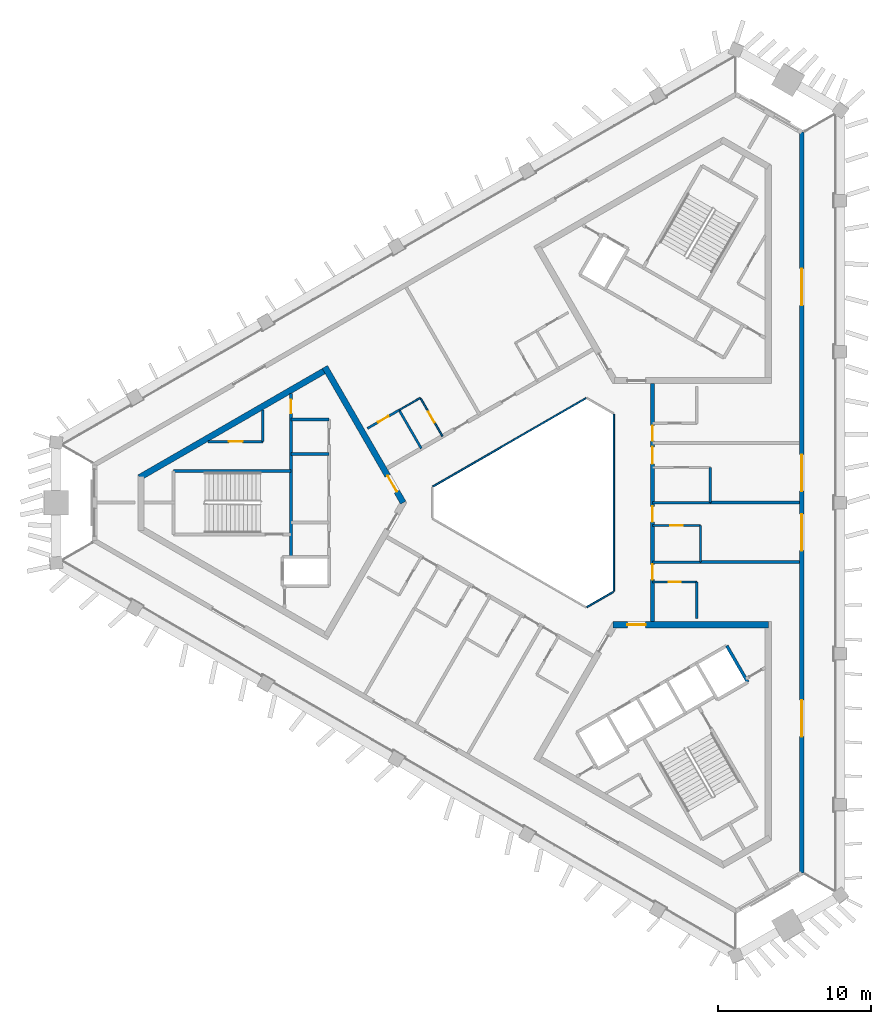
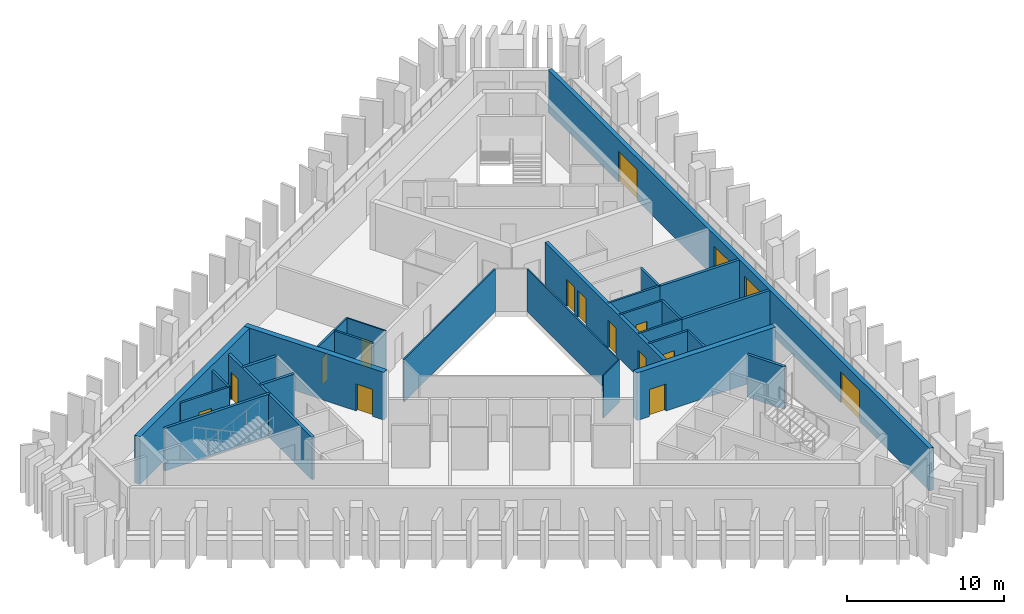
# One storey, part 4 of 9: 28 walls, 16 doors, 16 openings.
"""IFC4 building model written with IfcOpenShell, lengths in metres."""

from ifc_helpers import new_model, si_unit, direction, frame, frame_2d, origin, place, context, subcontext, project, spatial, rectangle, extrude, material, layer, layer_set, type_object, element, fill, save


model = new_model("IFC4")

# Units and contexts
model_context = context("Model", 3, precision=1e-05, world=origin(), true_north=direction((0.0, 1.0)))
body_context = subcontext(model_context, "Body", "Model", "MODEL_VIEW")
ifc_project = project(units=[si_unit("LENGTHUNIT", "METRE"), si_unit("AREAUNIT", "SQUARE_METRE"), si_unit("VOLUMEUNIT", "CUBIC_METRE"), si_unit("PLANEANGLEUNIT", "RADIAN"), si_unit("MASSUNIT", "GRAM", prefix="KILO")], contexts=[model_context])

# Site, building, storey
site_placement = place(None, origin())
site = spatial("IfcSite", under=ifc_project, at=site_placement, CompositionType="ELEMENT")
building_placement = place(site_placement, origin())
building = spatial("IfcBuilding", under=site, at=building_placement, Name="Jabali Bay Hotel Tower and Convention Centre", CompositionType="ELEMENT")
storey_placement = place(building_placement, frame((0.0, 0.0, 259.0)))
storey = spatial("IfcBuildingStorey", under=building, at=storey_placement, Name="L63", CompositionType="ELEMENT", Elevation=259.0)

# Walls
ifc_material_1 = material(Name="Fire-resistant glazing", Category="glass")
ifc_layer_1 = layer(ifc_material_1, 0.10009765625)
ifc_layer_set_1 = layer_set([ifc_layer_1], Name="Fire-resistant glazing")
wall_type_1 = type_object("IfcWallType", Name="Atrium glazed screen 100", PredefinedType="PARTITIONING", material=ifc_layer_set_1)
for number, where, z_axis, x_axis, name in (
    (1, (79.56005859375, 74.205810546875, 0.0), (0.0, 0.0, 1.0), (0.0, 1.0, 0.0), "Atrium screen 1 L63"),
    (2, (77.738037109375, 86.84619140625, 0.0), (0.0, 0.0, 1.0), (-0.866026658274, -0.499997827154, 0.0), "Atrium screen 3 L63"),
):
    element("IfcWall", number, at=place(storey_placement, frame(where, z_axis=z_axis, x_axis=x_axis)), inside=storey, type_object=wall_type_1, Name=name, PredefinedType="PARTITIONING", context=body_context, shape_type="SweptSolid", body=[
        extrude(rectangle(XDim=11.58837890625, YDim=0.10009765625, at=frame_2d((5.794189453125, 0.0))), origin(), (0.0, 0.0, 1.0), 3.300048828125),
    ])
wall_1_placement = place(storey_placement, frame((77.7978515625, 73.15380859375, 0.0), z_axis=(0.0, 0.0, 1.0), x_axis=(0.866041268327, 0.499972520799, 0.0)))
element("IfcWall", 3, at=wall_1_placement, inside=storey, type_object=wall_type_1, Name="Atrium screen 6 L63", PredefinedType="PARTITIONING", context=body_context, shape_type="SweptSolid", body=[
    extrude(rectangle(XDim=2.0, YDim=0.10009765625, at=frame_2d((1.0, 0.0))), origin(), (0.0, 0.0, 1.0), 3.300048828125),
])

# Wall, opening, door
ifc_material_2 = material(Name="Fire-rated board partition")
ifc_layer_2 = layer(ifc_material_2, 0.14990234375)
ifc_layer_set_2 = layer_set([ifc_layer_2], Name="Fire-rated board partition")
wall_type_2 = type_object("IfcWallType", Name="Core room partition 150", PredefinedType="PARTITIONING", material=ifc_layer_set_2)
wall_2_placement = place(storey_placement, frame((56.570068359375, 84.0, 0.0), z_axis=(0.0, 0.0, 1.0), x_axis=(-1.0, 0.0, 0.0)))
wall_2 = element("IfcWall", 4, at=wall_2_placement, inside=storey, type_object=wall_type_2, Name="Core wall 0.1 L63", PredefinedType="PARTITIONING", context=body_context, shape_type="SweptSolid", body=[
    extrude(rectangle(XDim=3.601806640625, YDim=0.14990234375, at=frame_2d((1.80078125, 0.0))), origin(), (0.0, 0.0, 1.0), 3.300048828125),
])
opening_1_placement = place(wall_2_placement, frame((1.323486328125, 0.0, 0.0)))
opening_1 = element("IfcOpeningElement", 5, at=opening_1_placement, cuts=wall_2, Name="Opening D1384", PredefinedType="OPENING", context=body_context, shape_type="SweptSolid", body=[
    extrude(rectangle(XDim=0.89990234375, YDim=2.10009765625, at=frame_2d((0.449951171875, 1.050048828125))), frame((0.0, 0.08544921875, 0.0), z_axis=(0.0, -1.0, 0.0), x_axis=(1.0, 0.0, 0.0)), (0.0, 0.0, 1.0), 0.1708984375),
])
ifc_material_3 = material(Name="Fire-rated steel door", Category="steel")
door_type_1 = type_object("IfcDoorType", Name="Core room door 900 x 2100", OperationType="NOTDEFINED", PredefinedType="NOTDEFINED", material=ifc_material_3)
door_1_placement = place(opening_1_placement, origin())
door_1 = element("IfcDoor", 6, at=door_1_placement, inside=storey, type_object=door_type_1, Name="Core room door D1384", OperationType="SINGLE_SWING_LEFT", OverallHeight=2.10009765625, OverallWidth=0.89990234375, PredefinedType="NOTDEFINED", context=body_context, shape_type="SweptSolid", body=[
    extrude(rectangle(XDim=0.89990234375, YDim=2.10009765625, at=frame_2d((0.449951171875, 1.050048828125))), frame((0.0, 0.02490234375, 0.0), z_axis=(0.0, -1.0, 0.0), x_axis=(1.0, 0.0, 0.0)), (0.0, 0.0, 1.0), 0.050048828125),
])
fill(opening_1, door_1)

# Walls
wall_3_placement = place(storey_placement, frame((56.570068359375, 86.07958984375, 0.0), z_axis=(0.0, 0.0, 1.0), x_axis=(0.0, -1.0, 0.0)))
element("IfcWall", 7, at=wall_3_placement, inside=storey, type_object=wall_type_2, Name="Core wall 0.13 L63", PredefinedType="PARTITIONING", context=body_context, shape_type="SweptSolid", body=[
    extrude(rectangle(XDim=2.07958984375, YDim=0.14990234375, at=frame_2d((1.039794921875, 0.0))), origin(), (0.0, 0.0, 1.0), 3.300048828125),
])
ifc_material_4 = material(Name="Concrete C40", Category="concrete")
ifc_layer_3 = layer(ifc_material_4, 0.199951171875)
ifc_layer_set_3 = layer_set([ifc_layer_3], Name="Concrete C40")
wall_type_3 = type_object("IfcWallType", Name="Core stair wall 200", PredefinedType="SOLIDWALL", material=ifc_layer_set_3)
for number, where, z_axis, x_axis, name in (
    (8, (60.89990234375, 85.449951171875, 0.0), (0.0, 0.0, 1.0), (-1.0, 0.0, 0.0), "Core wall 0.0 L63"),
    (9, (60.89990234375, 83.199951171875, 0.0), (0.0, 0.0, 1.0), (-1.0, 0.0, 0.0), "Core wall 0.2 L63"),
):
    element("IfcWall", number, at=place(storey_placement, frame(where, z_axis=z_axis, x_axis=x_axis)), inside=storey, type_object=wall_type_3, Name=name, PredefinedType="SOLIDWALL", context=body_context, shape_type="SweptSolid", body=[
        extrude(rectangle(XDim=2.47998046875, YDim=0.199951171875, at=frame_2d((1.239990234375, 0.0))), origin(), (0.0, 0.0, 1.0), 3.300048828125),
    ])
wall_4_placement = place(storey_placement, frame((58.419921875, 82.074951171875, 0.0), z_axis=(0.0, 0.0, 1.0), x_axis=(-1.0, 0.0, 0.0)))
element("IfcWall", 10, at=wall_4_placement, inside=storey, type_object=wall_type_3, Name="Core wall 0.3 L63", PredefinedType="SOLIDWALL", context=body_context, shape_type="SweptSolid", body=[
    extrude(rectangle(XDim=7.699951171875, YDim=0.199951171875, at=frame_2d((3.85009765625, 0.0))), origin(), (0.0, 0.0, 1.0), 3.300048828125),
])

# Wall, opening, door
wall_5_placement = place(storey_placement, frame((58.419921875, 87.147705078125, 0.0), z_axis=(0.0, 0.0, 1.0), x_axis=(0.0, -1.0, 0.0)))
wall_5 = element("IfcWall", 11, at=wall_5_placement, inside=storey, type_object=wall_type_3, Name="Core wall 0.10 L63", PredefinedType="SOLIDWALL", context=body_context, shape_type="SweptSolid", body=[
    extrude(rectangle(XDim=10.69775390625, YDim=0.199951171875, at=frame_2d((5.348876953125, 0.0))), origin(), (0.0, 0.0, 1.0), 3.300048828125),
])
opening_2_placement = place(wall_5_placement, frame((0.398681640625, 0.0, 0.0)))
opening_2 = element("IfcOpeningElement", 12, at=opening_2_placement, cuts=wall_5, Name="Opening D1382", PredefinedType="OPENING", context=body_context, shape_type="SweptSolid", body=[
    extrude(rectangle(XDim=0.89990234375, YDim=2.10009765625, at=frame_2d((0.449951171875, 1.050048828125))), frame((0.0, 0.1103515625, 0.0), z_axis=(0.0, -1.0, 0.0), x_axis=(1.0, 0.0, 0.0)), (0.0, 0.0, 1.0), 0.220947265625),
])
door_type_2 = type_object("IfcDoorType", Name="Vestibule fire door 900 x 2100", OperationType="NOTDEFINED", PredefinedType="NOTDEFINED", material=ifc_material_3)
door_2_placement = place(opening_2_placement, origin())
door_2 = element("IfcDoor", 13, at=door_2_placement, inside=storey, type_object=door_type_2, Name="Vestibule fire door D1382", OperationType="SINGLE_SWING_LEFT", OverallHeight=2.10009765625, OverallWidth=0.89990234375, PredefinedType="NOTDEFINED", context=body_context, shape_type="SweptSolid", body=[
    extrude(rectangle(XDim=0.89990234375, YDim=2.10009765625, at=frame_2d((0.449951171875, 1.050048828125))), frame((0.0, 0.02490234375, 0.0), z_axis=(0.0, -1.0, 0.0), x_axis=(1.0, 0.0, 0.0)), (0.0, 0.0, 1.0), 0.050048828125),
])
fill(opening_2, door_2)

# Wall
wall_6_placement = place(storey_placement, frame((86.964599609375, 70.62646484375, 0.0), z_axis=(0.0, 0.0, 1.0), x_axis=(0.499996545922, -0.866027397988, 0.0)))
element("IfcWall", 14, at=wall_6_placement, inside=storey, type_object=wall_type_3, Name="Core wall 2.9 L63", PredefinedType="SOLIDWALL", context=body_context, shape_type="SweptSolid", body=[
    extrude(rectangle(XDim=2.75, YDim=0.199951171875, at=frame_2d((1.375, 0.0))), origin(), (0.0, 0.0, 1.0), 3.300048828125),
])

# Wall, opening, door
ifc_material_5 = material(Name="Concrete C60", Category="concrete")
ifc_layer_4 = layer(ifc_material_5, 0.39990234375)
ifc_layer_set_4 = layer_set([ifc_layer_4], Name="Concrete C60")
wall_type_4 = type_object("IfcWallType", Name="Core wall 400", PredefinedType="SHEAR", material=ifc_layer_set_4)
wall_7_placement = place(storey_placement, frame((65.76904296875, 80.0, 0.0), z_axis=(0.0, 0.0, 1.0), x_axis=(-0.50000177223, 0.866024380585, 0.0)))
wall_7 = element("IfcWall", 15, at=wall_7_placement, inside=storey, type_object=wall_type_4, Name="Core wall 1.1 L63", PredefinedType="SHEAR", context=body_context, shape_type="SweptSolid", body=[
    extrude(rectangle(XDim=10.2646484375, YDim=0.39990234375, at=frame_2d((5.13232421875, 0.0))), origin(), (0.0, 0.0, 1.0), 3.699951171875),
])
opening_3_placement = place(wall_7_placement, frame((0.83447265625, 0.0, 0.0)))
opening_3 = element("IfcOpeningElement", 16, at=opening_3_placement, cuts=wall_7, Name="Opening D1376", PredefinedType="OPENING", context=body_context, shape_type="SweptSolid", body=[
    extrude(rectangle(XDim=1.199951171875, YDim=2.10009765625, at=frame_2d((0.60009765625, 1.050048828125))), frame((0.0, 0.21044921875, 0.0), z_axis=(0.0, -1.0, 0.0), x_axis=(1.0, 0.0, 0.0)), (0.0, 0.0, 1.0), 0.4208984375),
])
door_type_3 = type_object("IfcDoorType", Name="Corridor end fire door 1200 x 2100", OperationType="NOTDEFINED", PredefinedType="NOTDEFINED", material=ifc_material_3)
door_3_placement = place(opening_3_placement, origin())
door_3 = element("IfcDoor", 17, at=door_3_placement, inside=storey, type_object=door_type_3, Name="Corridor end fire door D1376", OperationType="SINGLE_SWING_RIGHT", OverallHeight=2.10009765625, OverallWidth=1.199951171875, PredefinedType="NOTDEFINED", context=body_context, shape_type="SweptSolid", body=[
    extrude(rectangle(XDim=1.199951171875, YDim=2.10009765625, at=frame_2d((0.60009765625, 1.050048828125))), frame((0.0, 0.02490234375, 0.0), z_axis=(0.0, -1.0, 0.0), x_axis=(1.0, 0.0, 0.0)), (0.0, 0.0, 1.0), 0.050048828125),
])
fill(opening_3, door_3)

# Wall
wall_8_placement = place(storey_placement, frame((60.73681640625, 88.716064453125, 0.0), z_axis=(0.0, 0.0, 1.0), x_axis=(-0.866028812667, -0.499994095595, 0.0)))
element("IfcWall", 18, at=wall_8_placement, inside=storey, type_object=wall_type_4, Name="Core wall 1.2 L63", PredefinedType="SHEAR", context=body_context, shape_type="SweptSolid", body=[
    extrude(rectangle(XDim=14.133544921875, YDim=0.39990234375, at=frame_2d((7.06689453125, 0.0))), origin(), (0.0, 0.0, 1.0), 3.699951171875),
])

# Wall, opening, door
wall_9_placement = place(storey_placement, frame((89.679931640625, 72.005859375, 0.0), z_axis=(0.0, 0.0, 1.0), x_axis=(-1.0, 0.0, 0.0)))
wall_9 = element("IfcWall", 19, at=wall_9_placement, inside=storey, type_object=wall_type_4, Name="Core wall 3.5 L63", PredefinedType="SHEAR", context=body_context, shape_type="SweptSolid", body=[
    extrude(rectangle(XDim=10.179931640625, YDim=0.39990234375, at=frame_2d((5.08984375, 0.0))), origin(), (0.0, 0.0, 1.0), 3.699951171875),
])
opening_4_placement = place(wall_9_placement, frame((8.030029296875, 0.0, 0.0)))
opening_4 = element("IfcOpeningElement", 20, at=opening_4_placement, cuts=wall_9, Name="Opening D1394", PredefinedType="OPENING", context=body_context, shape_type="SweptSolid", body=[
    extrude(rectangle(XDim=1.199951171875, YDim=2.10009765625, at=frame_2d((0.60009765625, 1.050048828125))), frame((0.0, 0.21044921875, 0.0), z_axis=(0.0, -1.0, 0.0), x_axis=(1.0, 0.0, 0.0)), (0.0, 0.0, 1.0), 0.4208984375),
])
door_4_placement = place(opening_4_placement, origin())
door_4 = element("IfcDoor", 21, at=door_4_placement, inside=storey, type_object=door_type_3, Name="Corridor end fire door D1394", OperationType="SINGLE_SWING_LEFT", OverallHeight=2.10009765625, OverallWidth=1.199951171875, PredefinedType="NOTDEFINED", context=body_context, shape_type="SweptSolid", body=[
    extrude(rectangle(XDim=1.199951171875, YDim=2.10009765625, at=frame_2d((0.60009765625, 1.050048828125))), frame((0.0, 0.02490234375, 0.0), z_axis=(0.0, -1.0, 0.0), x_axis=(1.0, 0.0, 0.0)), (0.0, 0.0, 1.0), 0.050048828125),
])
fill(opening_4, door_4)

# Wall, openings, doors
ifc_layer_5 = layer(ifc_material_5, 0.25)
ifc_layer_set_5 = layer_set([ifc_layer_5], Name="Concrete C60")
wall_type_5 = type_object("IfcWallType", Name="Corridor wall 250", PredefinedType="SHEAR", material=ifc_layer_set_5)
wall_10_placement = place(storey_placement, frame((82.10009765625, 72.205810546875, 0.0), z_axis=(0.0, 0.0, 1.0), x_axis=(0.0, 1.0, 0.0)))
wall_10 = element("IfcWall", 22, at=wall_10_placement, inside=storey, type_object=wall_type_5, Name="Corridor wall 1 L63", PredefinedType="SHEAR", context=body_context, shape_type="SweptSolid", body=[
    extrude(rectangle(XDim=15.58837890625, YDim=0.25, at=frame_2d((7.794189453125, 0.0))), origin(), (0.0, 0.0, 1.0), 3.300048828125),
])
opening_5_placement = place(wall_10_placement, frame((2.7470703125, 0.0, 0.0)))
opening_5 = element("IfcOpeningElement", 23, at=opening_5_placement, cuts=wall_10, Name="Opening 6302", PredefinedType="OPENING", context=body_context, shape_type="SweptSolid", body=[
    extrude(rectangle(XDim=1.0, YDim=2.10009765625, at=frame_2d((0.5, 1.050048828125))), frame((0.0, 0.135498046875, 0.0), z_axis=(0.0, -1.0, 0.0), x_axis=(1.0, 0.0, 0.0)), (0.0, 0.0, 1.0), 0.27099609375),
])
opening_6_placement = place(wall_10_placement, frame((6.544189453125, 0.0, 0.0)))
opening_6 = element("IfcOpeningElement", 24, at=opening_6_placement, cuts=wall_10, Name="Opening 6304", PredefinedType="OPENING", context=body_context, shape_type="SweptSolid", body=[
    extrude(rectangle(XDim=1.0, YDim=2.10009765625, at=frame_2d((0.5, 1.050048828125))), frame((0.0, 0.135498046875, 0.0), z_axis=(0.0, -1.0, 0.0), x_axis=(1.0, 0.0, 0.0)), (0.0, 0.0, 1.0), 0.27099609375),
])
opening_7_placement = place(wall_10_placement, frame((10.34130859375, 0.0, 0.0)))
opening_7 = element("IfcOpeningElement", 25, at=opening_7_placement, cuts=wall_10, Name="Opening 6306", PredefinedType="OPENING", context=body_context, shape_type="SweptSolid", body=[
    extrude(rectangle(XDim=1.10009765625, YDim=2.10009765625, at=frame_2d((0.550048828125, 1.050048828125))), frame((0.0, 0.135498046875, 0.0), z_axis=(0.0, -1.0, 0.0), x_axis=(1.0, 0.0, 0.0)), (0.0, 0.0, 1.0), 0.27099609375),
])
opening_8_placement = place(wall_10_placement, frame((11.84130859375, 0.0, 0.0)))
opening_8 = element("IfcOpeningElement", 26, at=opening_8_placement, cuts=wall_10, Name="Opening 6308", PredefinedType="OPENING", context=body_context, shape_type="SweptSolid", body=[
    extrude(rectangle(XDim=1.0, YDim=2.10009765625, at=frame_2d((0.5, 1.050048828125))), frame((0.0, 0.135498046875, 0.0), z_axis=(0.0, -1.0, 0.0), x_axis=(1.0, 0.0, 0.0)), (0.0, 0.0, 1.0), 0.27099609375),
])
ifc_material_6 = material(Name="Timber", Category="wood")
door_type_4 = type_object("IfcDoorType", Name="Accessible guest room door 1100 x 2100", OperationType="NOTDEFINED", PredefinedType="NOTDEFINED", material=ifc_material_6)
door_5_placement = place(opening_7_placement, origin())
door_5 = element("IfcDoor", 27, at=door_5_placement, inside=storey, type_object=door_type_4, Name="Door 6306", OperationType="SINGLE_SWING_RIGHT", OverallHeight=2.10009765625, OverallWidth=1.10009765625, PredefinedType="NOTDEFINED", context=body_context, shape_type="SweptSolid", body=[
    extrude(rectangle(XDim=1.10009765625, YDim=2.10009765625, at=frame_2d((0.550048828125, 1.050048828125))), frame((0.0, 0.02490234375, 0.0), z_axis=(0.0, -1.0, 0.0), x_axis=(1.0, 0.0, 0.0)), (0.0, 0.0, 1.0), 0.050048828125),
])
fill(opening_7, door_5)
door_type_5 = type_object("IfcDoorType", Name="Guest room door 1000 x 2100", OperationType="NOTDEFINED", PredefinedType="NOTDEFINED", material=ifc_material_6)
door_6_placement = place(opening_5_placement, origin())
door_6 = element("IfcDoor", 28, at=door_6_placement, inside=storey, type_object=door_type_5, Name="Door 6302", OperationType="SINGLE_SWING_LEFT", OverallHeight=2.10009765625, OverallWidth=1.0, PredefinedType="NOTDEFINED", context=body_context, shape_type="SweptSolid", body=[
    extrude(rectangle(XDim=1.0, YDim=2.10009765625, at=frame_2d((0.5, 1.050048828125))), frame((0.0, 0.02490234375, 0.0), z_axis=(0.0, -1.0, 0.0), x_axis=(1.0, 0.0, 0.0)), (0.0, 0.0, 1.0), 0.050048828125),
])
fill(opening_5, door_6)
door_7_placement = place(opening_6_placement, origin())
door_7 = element("IfcDoor", 29, at=door_7_placement, inside=storey, type_object=door_type_5, Name="Door 6304", OperationType="SINGLE_SWING_LEFT", OverallHeight=2.10009765625, OverallWidth=1.0, PredefinedType="NOTDEFINED", context=body_context, shape_type="SweptSolid", body=[
    extrude(rectangle(XDim=1.0, YDim=2.10009765625, at=frame_2d((0.5, 1.050048828125))), frame((0.0, 0.02490234375, 0.0), z_axis=(0.0, -1.0, 0.0), x_axis=(1.0, 0.0, 0.0)), (0.0, 0.0, 1.0), 0.050048828125),
])
fill(opening_6, door_7)
door_8_placement = place(opening_8_placement, origin())
door_8 = element("IfcDoor", 30, at=door_8_placement, inside=storey, type_object=door_type_5, Name="Door 6308", OperationType="SINGLE_SWING_RIGHT", OverallHeight=2.10009765625, OverallWidth=1.0, PredefinedType="NOTDEFINED", context=body_context, shape_type="SweptSolid", body=[
    extrude(rectangle(XDim=1.0, YDim=2.10009765625, at=frame_2d((0.5, 1.050048828125))), frame((0.0, 0.02490234375, 0.0), z_axis=(0.0, -1.0, 0.0), x_axis=(1.0, 0.0, 0.0)), (0.0, 0.0, 1.0), 0.050048828125),
])
fill(opening_8, door_8)

ifc_layer_6 = layer(ifc_material_4, 0.300048828125)
ifc_layer_set_6 = layer_set([ifc_layer_6], Name="Concrete C40")
wall_type_6 = type_object("IfcWallType", Name="External wall 300", PredefinedType="SOLIDWALL", material=ifc_layer_set_6)
wall_11_placement = place(storey_placement, frame((91.876708984375, 104.2666015625, 0.0), z_axis=(0.0, 0.0, 1.0), x_axis=(0.0, -1.0, 0.0)))
wall_11 = element("IfcWall", 31, at=wall_11_placement, inside=storey, type_object=wall_type_6, Name="External wall east face L63", PredefinedType="SOLIDWALL", context=body_context, shape_type="SweptSolid", body=[
    extrude(rectangle(XDim=48.533203125, YDim=0.300048828125, at=frame_2d((24.2666015625, 0.0))), origin(), (0.0, 0.0, 1.0), 3.300048828125),
])
opening_9_placement = place(wall_11_placement, frame((21.1181640625, 0.0, 0.0)))
opening_9 = element("IfcOpeningElement", 32, at=opening_9_placement, cuts=wall_11, Name="Opening SD1", PredefinedType="OPENING", context=body_context, shape_type="SweptSolid", body=[
    extrude(rectangle(XDim=2.39990234375, YDim=2.39990234375, at=frame_2d((1.199951171875, 1.199951171875))), frame((0.0, 0.16064453125, 0.0), z_axis=(0.0, -1.0, 0.0), x_axis=(1.0, 0.0, 0.0)), (0.0, 0.0, 1.0), 0.321044921875),
])
opening_10_placement = place(wall_11_placement, frame((25.01513671875, 0.0, 0.0)))
opening_10 = element("IfcOpeningElement", 33, at=opening_10_placement, cuts=wall_11, Name="Opening SD1", PredefinedType="OPENING", context=body_context, shape_type="SweptSolid", body=[
    extrude(rectangle(XDim=2.39990234375, YDim=2.39990234375, at=frame_2d((1.199951171875, 1.199951171875))), frame((0.0, 0.16064453125, 0.0), z_axis=(0.0, -1.0, 0.0), x_axis=(1.0, 0.0, 0.0)), (0.0, 0.0, 1.0), 0.321044921875),
])
opening_11_placement = place(wall_11_placement, frame((37.19189453125, 0.0, 0.0)))
opening_11 = element("IfcOpeningElement", 34, at=opening_11_placement, cuts=wall_11, Name="Opening SD1", PredefinedType="OPENING", context=body_context, shape_type="SweptSolid", body=[
    extrude(rectangle(XDim=2.39990234375, YDim=2.39990234375, at=frame_2d((1.199951171875, 1.199951171875))), frame((0.0, 0.16064453125, 0.0), z_axis=(0.0, -1.0, 0.0), x_axis=(1.0, 0.0, 0.0)), (0.0, 0.0, 1.0), 0.321044921875),
])
opening_12_placement = place(wall_11_placement, frame((8.94140625, 0.0, 0.0)))
opening_12 = element("IfcOpeningElement", 35, at=opening_12_placement, cuts=wall_11, Name="Opening SD1", PredefinedType="OPENING", context=body_context, shape_type="SweptSolid", body=[
    extrude(rectangle(XDim=2.39990234375, YDim=2.39990234375, at=frame_2d((1.199951171875, 1.199951171875))), frame((0.0, 0.16064453125, 0.0), z_axis=(0.0, -1.0, 0.0), x_axis=(1.0, 0.0, 0.0)), (0.0, 0.0, 1.0), 0.321044921875),
])
ifc_material_7 = material(Name="Glass", Category="glass")
door_type_6 = type_object("IfcDoorType", Name="Loggia sliding door 2400 x 2400", OperationType="NOTDEFINED", PredefinedType="NOTDEFINED", material=ifc_material_7)
door_9_placement = place(opening_9_placement, origin())
door_9 = element("IfcDoor", 36, at=door_9_placement, inside=storey, type_object=door_type_6, Name="Loggia sliding door 6303", OperationType="SLIDING_TO_LEFT", OverallHeight=2.39990234375, OverallWidth=2.39990234375, PredefinedType="NOTDEFINED", context=body_context, shape_type="SweptSolid", body=[
    extrude(rectangle(XDim=2.39990234375, YDim=2.39990234375, at=frame_2d((1.199951171875, 1.199951171875))), frame((0.0, 0.02490234375, 0.0), z_axis=(0.0, -1.0, 0.0), x_axis=(1.0, 0.0, 0.0)), (0.0, 0.0, 1.0), 0.050048828125),
])
fill(opening_9, door_9)
door_10_placement = place(opening_10_placement, origin())
door_10 = element("IfcDoor", 37, at=door_10_placement, inside=storey, type_object=door_type_6, Name="Loggia sliding door 6302", OperationType="SLIDING_TO_RIGHT", OverallHeight=2.39990234375, OverallWidth=2.39990234375, PredefinedType="NOTDEFINED", context=body_context, shape_type="SweptSolid", body=[
    extrude(rectangle(XDim=2.39990234375, YDim=2.39990234375, at=frame_2d((1.199951171875, 1.199951171875))), frame((0.0, 0.02490234375, 0.0), z_axis=(0.0, -1.0, 0.0), x_axis=(1.0, 0.0, 0.0)), (0.0, 0.0, 1.0), 0.050048828125),
])
fill(opening_10, door_10)
door_11_placement = place(opening_11_placement, origin())
door_11 = element("IfcDoor", 38, at=door_11_placement, inside=storey, type_object=door_type_6, Name="Loggia sliding door 6301", OperationType="SLIDING_TO_LEFT", OverallHeight=2.39990234375, OverallWidth=2.39990234375, PredefinedType="NOTDEFINED", context=body_context, shape_type="SweptSolid", body=[
    extrude(rectangle(XDim=2.39990234375, YDim=2.39990234375, at=frame_2d((1.199951171875, 1.199951171875))), frame((0.0, 0.02490234375, 0.0), z_axis=(0.0, -1.0, 0.0), x_axis=(1.0, 0.0, 0.0)), (0.0, 0.0, 1.0), 0.050048828125),
])
fill(opening_11, door_11)
door_12_placement = place(opening_12_placement, origin())
door_12 = element("IfcDoor", 39, at=door_12_placement, inside=storey, type_object=door_type_6, Name="Loggia sliding door 6304", OperationType="SLIDING_TO_RIGHT", OverallHeight=2.39990234375, OverallWidth=2.39990234375, PredefinedType="NOTDEFINED", context=body_context, shape_type="SweptSolid", body=[
    extrude(rectangle(XDim=2.39990234375, YDim=2.39990234375, at=frame_2d((1.199951171875, 1.199951171875))), frame((0.0, 0.02490234375, 0.0), z_axis=(0.0, -1.0, 0.0), x_axis=(1.0, 0.0, 0.0)), (0.0, 0.0, 1.0), 0.050048828125),
])
fill(opening_12, door_12)

# Wall
ifc_material_8 = material(Name="Plasterboard on steel stud", Category="steel")
ifc_layer_7 = layer(ifc_material_8, 0.10009765625)
ifc_layer_set_7 = layer_set([ifc_layer_7], Name="Plasterboard on steel stud")
wall_type_7 = type_object("IfcWallType", Name="Partition 100 unit", PredefinedType="PARTITIONING", material=ifc_layer_set_7)
wall_12_placement = place(storey_placement, frame((65.501708984375, 86.063232421875, 0.0), z_axis=(0.0, 0.0, 1.0), x_axis=(0.866055983265, 0.499947031044, 0.0)))
element("IfcWall", 40, at=wall_12_placement, inside=storey, type_object=wall_type_7, Name="Partition P02 L63 022", PredefinedType="PARTITIONING", context=body_context, shape_type="SweptSolid", body=[
    extrude(rectangle(XDim=1.599853515625, YDim=0.10009765625, at=frame_2d((0.7998046875, 0.0))), origin(), (0.0, 0.0, 1.0), 3.300048828125),
])

# Wall, opening, door
wall_13_placement = place(storey_placement, frame((66.88720703125, 86.863037109375, 0.0), z_axis=(0.0, 0.0, 1.0), x_axis=(0.50005036918, -0.865996321171, 0.0)))
wall_13 = element("IfcWall", 41, at=wall_13_placement, inside=storey, type_object=wall_type_7, Name="Partition P02 L63 023", PredefinedType="PARTITIONING", context=body_context, shape_type="SweptSolid", body=[
    extrude(rectangle(XDim=2.900146484375, YDim=0.10009765625, at=frame_2d((1.4501953125, 0.0))), origin(), (0.0, 0.0, 1.0), 3.300048828125),
])
opening_13_placement = place(wall_13_placement, frame((1.050048828125, 0.0, 0.0)))
opening_13 = element("IfcOpeningElement", 42, at=opening_13_placement, cuts=wall_13, Name="Opening 6313", PredefinedType="OPENING", context=body_context, shape_type="SweptSolid", body=[
    extrude(rectangle(XDim=0.800048828125, YDim=2.10009765625, at=frame_2d((0.39990234375, 1.050048828125))), frame((0.0, 0.060546875, 0.0), z_axis=(0.0, -1.0, 0.0), x_axis=(1.0, 0.0, 0.0)), (0.0, 0.0, 1.0), 0.12109375),
])
door_type_7 = type_object("IfcDoorType", Name="Dressing room door 800 x 2100", OperationType="NOTDEFINED", PredefinedType="NOTDEFINED", material=ifc_material_6)
door_13_placement = place(opening_13_placement, origin())
door_13 = element("IfcDoor", 43, at=door_13_placement, inside=storey, type_object=door_type_7, Name="Door 6313", OperationType="SINGLE_SWING_RIGHT", OverallHeight=2.10009765625, OverallWidth=0.800048828125, PredefinedType="NOTDEFINED", context=body_context, shape_type="SweptSolid", body=[
    extrude(rectangle(XDim=0.800048828125, YDim=2.10009765625, at=frame_2d((0.39990234375, 1.050048828125))), frame((0.0, 0.02490234375, 0.0), z_axis=(0.0, -1.0, 0.0), x_axis=(1.0, 0.0, 0.0)), (0.0, 0.0, 1.0), 0.050048828125),
])
fill(opening_13, door_13)

ifc_layer_8 = layer(ifc_material_8, 0.14990234375)
ifc_layer_set_8 = layer_set([ifc_layer_8], Name="Plasterboard on steel stud")
wall_type_8 = type_object("IfcWallType", Name="Partition 150 wet", PredefinedType="PARTITIONING", material=ifc_layer_set_8)
wall_14_placement = place(storey_placement, frame((82.10009765625, 74.802978515625, 0.0), z_axis=(0.0, 0.0, 1.0), x_axis=(1.0, 0.0, 0.0)))
wall_14 = element("IfcWall", 44, at=wall_14_placement, inside=storey, type_object=wall_type_8, Name="Partition P03 L63 001", PredefinedType="PARTITIONING", context=body_context, shape_type="SweptSolid", body=[
    extrude(rectangle(XDim=2.89990234375, YDim=0.14990234375, at=frame_2d((1.449951171875, 0.0))), origin(), (0.0, 0.0, 1.0), 3.300048828125),
])
opening_14_placement = place(wall_14_placement, frame((1.050048828125, 0.0, 0.0)))
opening_14 = element("IfcOpeningElement", 45, at=opening_14_placement, cuts=wall_14, Name="Opening 6301", PredefinedType="OPENING", context=body_context, shape_type="SweptSolid", body=[
    extrude(rectangle(XDim=0.800048828125, YDim=2.10009765625, at=frame_2d((0.39990234375, 1.050048828125))), frame((0.0, 0.08544921875, 0.0), z_axis=(0.0, -1.0, 0.0), x_axis=(1.0, 0.0, 0.0)), (0.0, 0.0, 1.0), 0.1708984375),
])
door_type_8 = type_object("IfcDoorType", Name="En-suite door 800 x 2100", OperationType="NOTDEFINED", PredefinedType="NOTDEFINED", material=ifc_material_6)
door_14_placement = place(opening_14_placement, origin())
door_14 = element("IfcDoor", 46, at=door_14_placement, inside=storey, type_object=door_type_8, Name="Door 6301", OperationType="SINGLE_SWING_LEFT", OverallHeight=2.10009765625, OverallWidth=0.800048828125, PredefinedType="NOTDEFINED", context=body_context, shape_type="SweptSolid", body=[
    extrude(rectangle(XDim=0.800048828125, YDim=2.10009765625, at=frame_2d((0.39990234375, 1.050048828125))), frame((0.0, 0.02490234375, 0.0), z_axis=(0.0, -1.0, 0.0), x_axis=(1.0, 0.0, 0.0)), (0.0, 0.0, 1.0), 0.050048828125),
])
fill(opening_14, door_14)

# Walls
wall_15_placement = place(storey_placement, frame((85.0, 74.802978515625, 0.0), z_axis=(0.0, 0.0, 1.0), x_axis=(0.0, -1.0, 0.0)))
element("IfcWall", 47, at=wall_15_placement, inside=storey, type_object=wall_type_8, Name="Partition P03 L63 002", PredefinedType="PARTITIONING", context=body_context, shape_type="SweptSolid", body=[
    extrude(rectangle(XDim=2.398193359375, YDim=0.14990234375, at=frame_2d((1.19921875, 0.0))), origin(), (0.0, 0.0, 1.0), 3.300048828125),
])
wall_16_placement = place(storey_placement, frame((85.245361328125, 76.102783203125, 0.0), z_axis=(0.0, 0.0, 1.0), x_axis=(-1.0, 0.0, 0.0)))
element("IfcWall", 48, at=wall_16_placement, inside=storey, type_object=wall_type_8, Name="Partition P03 L63 004", PredefinedType="PARTITIONING", context=body_context, shape_type="SweptSolid", body=[
    extrude(rectangle(XDim=3.145263671875, YDim=0.14990234375, at=frame_2d((1.57275390625, 0.0))), origin(), (0.0, 0.0, 1.0), 3.300048828125),
])

# Wall, opening, door
wall_17_placement = place(storey_placement, frame((82.10009765625, 78.5, 0.0), z_axis=(0.0, 0.0, 1.0), x_axis=(1.0, 0.0, 0.0)))
wall_17 = element("IfcWall", 49, at=wall_17_placement, inside=storey, type_object=wall_type_8, Name="Partition P03 L63 006", PredefinedType="PARTITIONING", context=body_context, shape_type="SweptSolid", body=[
    extrude(rectangle(XDim=3.145263671875, YDim=0.14990234375, at=frame_2d((1.57275390625, 0.0))), origin(), (0.0, 0.0, 1.0), 3.300048828125),
])
opening_15_placement = place(wall_17_placement, frame((1.173095703125, 0.0, 0.0)))
opening_15 = element("IfcOpeningElement", 50, at=opening_15_placement, cuts=wall_17, Name="Opening 6303", PredefinedType="OPENING", context=body_context, shape_type="SweptSolid", body=[
    extrude(rectangle(XDim=0.800048828125, YDim=2.10009765625, at=frame_2d((0.39990234375, 1.050048828125))), frame((0.0, 0.08544921875, 0.0), z_axis=(0.0, -1.0, 0.0), x_axis=(1.0, 0.0, 0.0)), (0.0, 0.0, 1.0), 0.1708984375),
])
door_15_placement = place(opening_15_placement, origin())
door_15 = element("IfcDoor", 51, at=door_15_placement, inside=storey, type_object=door_type_8, Name="Door 6303", OperationType="SINGLE_SWING_RIGHT", OverallHeight=2.10009765625, OverallWidth=0.800048828125, PredefinedType="NOTDEFINED", context=body_context, shape_type="SweptSolid", body=[
    extrude(rectangle(XDim=0.800048828125, YDim=2.10009765625, at=frame_2d((0.39990234375, 1.050048828125))), frame((0.0, 0.02490234375, 0.0), z_axis=(0.0, -1.0, 0.0), x_axis=(1.0, 0.0, 0.0)), (0.0, 0.0, 1.0), 0.050048828125),
])
fill(opening_15, door_15)

# Walls
wall_18_placement = place(storey_placement, frame((85.245361328125, 78.5, 0.0), z_axis=(0.0, 0.0, 1.0), x_axis=(0.0, -1.0, 0.0)))
element("IfcWall", 52, at=wall_18_placement, inside=storey, type_object=wall_type_8, Name="Partition P03 L63 007", PredefinedType="PARTITIONING", context=body_context, shape_type="SweptSolid", body=[
    extrude(rectangle(XDim=2.397216796875, YDim=0.14990234375, at=frame_2d((1.19873046875, 0.0))), origin(), (0.0, 0.0, 1.0), 3.300048828125),
])
wall_19_placement = place(storey_placement, frame((85.887451171875, 80.0, 0.0), z_axis=(0.0, 0.0, 1.0), x_axis=(-1.0, 0.0, 0.0)))
element("IfcWall", 53, at=wall_19_placement, inside=storey, type_object=wall_type_8, Name="Partition P03 L63 009", PredefinedType="PARTITIONING", context=body_context, shape_type="SweptSolid", body=[
    extrude(rectangle(XDim=3.787353515625, YDim=0.14990234375, at=frame_2d((1.8935546875, 0.0))), origin(), (0.0, 0.0, 1.0), 3.300048828125),
])
wall_20_placement = place(storey_placement, frame((85.887451171875, 82.297119140625, 0.0), z_axis=(0.0, 0.0, 1.0), x_axis=(0.0, -1.0, 0.0)))
element("IfcWall", 54, at=wall_20_placement, inside=storey, type_object=wall_type_8, Name="Partition P03 L63 011", PredefinedType="PARTITIONING", context=body_context, shape_type="SweptSolid", body=[
    extrude(rectangle(XDim=2.297119140625, YDim=0.14990234375, at=frame_2d((1.1484375, 0.0))), origin(), (0.0, 0.0, 1.0), 3.300048828125),
])

# Wall, opening, door
wall_21_placement = place(storey_placement, frame((63.42236328125, 84.862548828125, 0.0), z_axis=(0.0, 0.0, 1.0), x_axis=(0.865994240961, 0.500053971709, 0.0)))
wall_21 = element("IfcWall", 55, at=wall_21_placement, inside=storey, type_object=wall_type_8, Name="Partition P03 L63 021", PredefinedType="PARTITIONING", context=body_context, shape_type="SweptSolid", body=[
    extrude(rectangle(XDim=2.401123046875, YDim=0.14990234375, at=frame_2d((1.20068359375, 0.0))), origin(), (0.0, 0.0, 1.0), 3.300048828125),
])
opening_16_placement = place(wall_21_placement, frame((0.801025390625, 0.0, 0.0)))
opening_16 = element("IfcOpeningElement", 56, at=opening_16_placement, cuts=wall_21, Name="Opening 6312", PredefinedType="OPENING", context=body_context, shape_type="SweptSolid", body=[
    extrude(rectangle(XDim=0.800048828125, YDim=2.10009765625, at=frame_2d((0.39990234375, 1.050048828125))), frame((0.0, 0.08544921875, 0.0), z_axis=(0.0, -1.0, 0.0), x_axis=(1.0, 0.0, 0.0)), (0.0, 0.0, 1.0), 0.1708984375),
])
door_16_placement = place(opening_16_placement, origin())
door_16 = element("IfcDoor", 57, at=door_16_placement, inside=storey, type_object=door_type_8, Name="Door 6312", OperationType="SINGLE_SWING_LEFT", OverallHeight=2.10009765625, OverallWidth=0.800048828125, PredefinedType="NOTDEFINED", context=body_context, shape_type="SweptSolid", body=[
    extrude(rectangle(XDim=0.800048828125, YDim=2.10009765625, at=frame_2d((0.39990234375, 1.050048828125))), frame((0.0, 0.02490234375, 0.0), z_axis=(0.0, -1.0, 0.0), x_axis=(1.0, 0.0, 0.0)), (0.0, 0.0, 1.0), 0.050048828125),
])
fill(opening_16, door_16)

# Walls
wall_22_placement = place(storey_placement, frame((66.95166015625, 83.5517578125, 0.0), z_axis=(0.0, 0.0, 1.0), x_axis=(-0.499987231761, 0.866032775405, 0.0)))
element("IfcWall", 58, at=wall_22_placement, inside=storey, type_object=wall_type_8, Name="Partition P03 L63 025", PredefinedType="PARTITIONING", context=body_context, shape_type="SweptSolid", body=[
    extrude(rectangle(XDim=2.89990234375, YDim=0.14990234375, at=frame_2d((1.449951171875, 0.0))), origin(), (0.0, 0.0, 1.0), 3.300048828125),
])
ifc_layer_9 = layer(ifc_material_8, 0.199951171875)
ifc_layer_set_9 = layer_set([ifc_layer_9], Name="Plasterboard on steel stud")
wall_type_9 = type_object("IfcWallType", Name="Partition 200 party", PredefinedType="PARTITIONING", material=ifc_layer_set_9)
wall_23_placement = place(storey_placement, frame((91.727783203125, 76.102783203125, 0.0), z_axis=(0.0, 0.0, 1.0), x_axis=(-1.0, 0.0, 0.0)))
element("IfcWall", 59, at=wall_23_placement, inside=storey, type_object=wall_type_9, Name="Partition P01 L63 003", PredefinedType="PARTITIONING", context=body_context, shape_type="SweptSolid", body=[
    extrude(rectangle(XDim=6.482421875, YDim=0.199951171875, at=frame_2d((3.2412109375, 0.0))), origin(), (0.0, 0.0, 1.0), 3.300048828125),
])
wall_24_placement = place(storey_placement, frame((91.727783203125, 80.0, 0.0), z_axis=(0.0, 0.0, 1.0), x_axis=(-1.0, 0.0, 0.0)))
element("IfcWall", 60, at=wall_24_placement, inside=storey, type_object=wall_type_9, Name="Partition P01 L63 008", PredefinedType="PARTITIONING", context=body_context, shape_type="SweptSolid", body=[
    extrude(rectangle(XDim=5.84033203125, YDim=0.199951171875, at=frame_2d((2.920166015625, 0.0))), origin(), (0.0, 0.0, 1.0), 3.300048828125),
])

save(model, "model.ifc")
